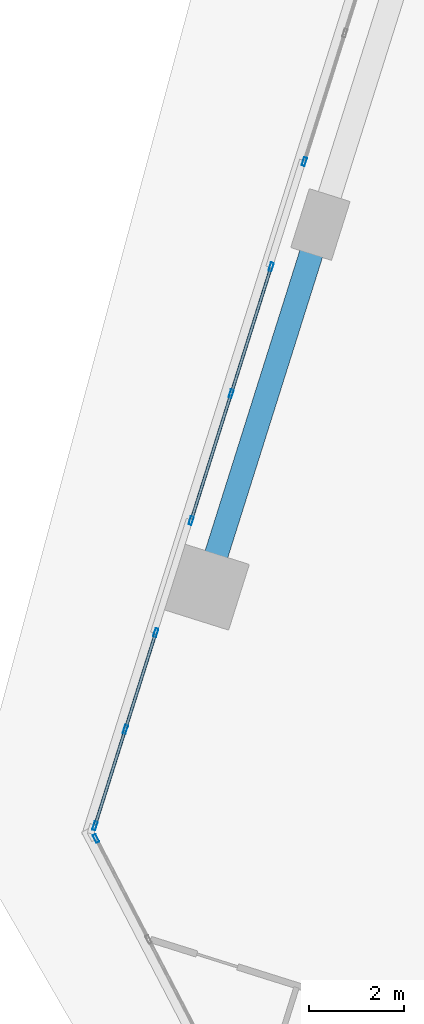
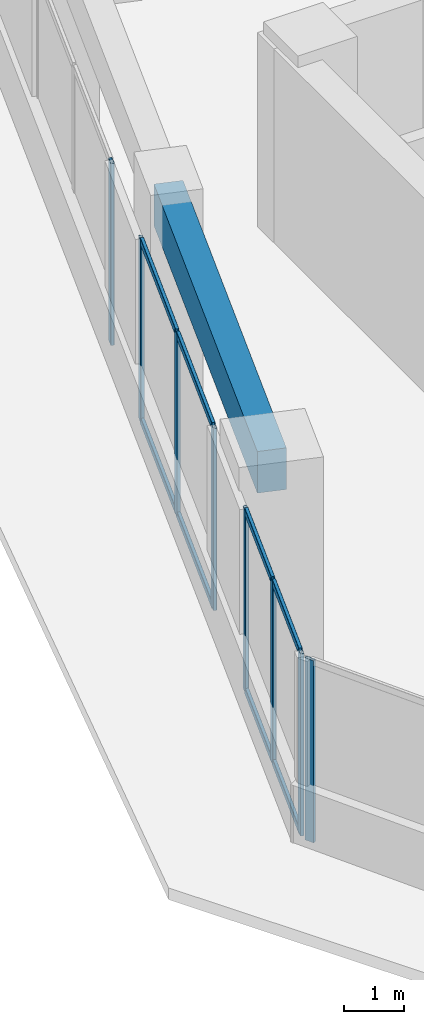
# One storey, part 6 of 28: 16 members, 1 beam, 4 elements without a shape of their own.
"""IFC4 building model written with IfcOpenShell, lengths in metres."""

from ifc_helpers import new_model, si_unit, direction, frame, origin, origin_2d, place, context, subcontext, project, spatial, rectangle, hollow_rectangle, extrude, source, transform, mapped, material, material_profile, profile_set, type_object, element, aggregate, save


model = new_model("IFC4")

# Units and contexts
model_context = context("Model", 3, precision=1e-05, world=origin(), true_north=direction((0.0, 1.0)))
body_context = subcontext(model_context, "Body", "Model", "MODEL_VIEW")
ifc_project = project(units=[si_unit("LENGTHUNIT", "METRE"), si_unit("AREAUNIT", "SQUARE_METRE"), si_unit("VOLUMEUNIT", "CUBIC_METRE"), si_unit("PLANEANGLEUNIT", "RADIAN"), si_unit("MASSUNIT", "GRAM", prefix="KILO")], contexts=[model_context])

# Site, building, storey
site_placement = place(None, origin())
site = spatial("IfcSite", under=ifc_project, at=site_placement, CompositionType="ELEMENT")
building_placement = place(site_placement, origin())
building = spatial("IfcBuilding", under=site, at=building_placement, Name="Torre Montelarca", CompositionType="ELEMENT")
storey_placement = place(building_placement, frame((0.0, 0.0, 112.60009765625)))
storey = spatial("IfcBuildingStorey", under=building, at=storey_placement, Name="L25", CompositionType="ELEMENT", Elevation=112.60009765625)

# Beam
ifc_material_1 = material(Name="Concrete C55/67", Category="concrete")
ifc_material_profile_1 = material_profile(ifc_material_1, rectangle(XDim=0.5, YDim=0.85009765625, at=origin_2d()), Name="RCB500X850", Category="concrete")
ifc_profile_set_1 = profile_set([ifc_material_profile_1], Name="Concrete C55/67")
beam_type = type_object("IfcBeamType", Name="BM-SP-RC850-EXT", PredefinedType="SPANDREL", material=ifc_profile_set_1)
shared_shape_1 = source(origin(), body_context, "Body", "SweptSolid", [
    extrude(rectangle(XDim=0.5, YDim=0.85009765625, at=origin_2d()), origin(), (0.0, 0.0, 1.0), 8.0),
])
beam_placement = place(storey_placement, frame((3.024169921875, 29.437255859375, 3.534912109375), z_axis=(0.300722386371, 0.953711720771, 0.0), x_axis=(-0.953711720771, 0.300722386371, 0.0)))
element("IfcBeam", 1, at=beam_placement, inside=storey, type_object=beam_type, Name="L25 Grid Girder Y 24.0-32.0 at X=4.7", PredefinedType="SPANDREL", context=body_context, shape_type="MappedRepresentation", body=[
    mapped(shared_shape_1, transform((0.0, 0.0, 0.0), scale=1.0)),
])

# Curtain wall, members
ifc_material_2 = material(Name="Insulated low-E laminated glass", Category="glass")
curtain_wall_type = type_object("IfcCurtainWallType", Name="CW-SYS-Z1", PredefinedType="USERDEFINED", material=ifc_material_2)
curtain_wall_1_placement = place(storey_placement, origin())
curtain_wall_1 = element("IfcCurtainWall", 2, at=curtain_wall_1_placement, inside=storey, type_object=curtain_wall_type, Name="L25 Curtain Wall Run CW-T3-L25-E10-B2", ObjectType="UNITISED GLAZING", PredefinedType="USERDEFINED")
ifc_material_3 = material(Name="Anodised aluminium AA 6063-T6", Category="aluminium")
ifc_material_profile_2 = material_profile(ifc_material_3, hollow_rectangle(XDim=0.06494140625, YDim=0.139892578125, WallThickness=0.00390625, InnerFilletRadius=0.00390625, OuterFilletRadius=0.008056640625, at=origin_2d()), Name="ALU65X140X4", Category="aluminium")
ifc_profile_set_2 = profile_set([ifc_material_profile_2], Name="Anodised aluminium AA 6063-T6")
member_type_1 = type_object("IfcMemberType", Name="CWT-ALU140", PredefinedType="USERDEFINED", material=ifc_profile_set_2)
shared_shape_2 = source(origin(), body_context, "Body", "SweptSolid", [
    extrude(hollow_rectangle(XDim=0.06494140625, YDim=0.139892578125, WallThickness=0.00390625, InnerFilletRadius=0.00390625, OuterFilletRadius=0.008056640625, at=origin_2d()), origin(), (0.0, 0.0, 1.0), 2.735107421875),
])
member_1_placement = place(storey_placement, frame((3.5419921875, 33.473388671875, 0.032470703125), z_axis=(-0.300734033524, -0.953708048136, 0.0), x_axis=(0.953708048136, -0.300734033524, 0.0)))
member_1 = element("IfcMember", 3, at=member_1_placement, type_object=member_type_1, Name="CW transom 2.1", ObjectType="TRANSOM", PredefinedType="USERDEFINED", context=body_context, shape_type="MappedRepresentation", body=[
    mapped(shared_shape_2, transform((0.0, 0.0, 0.0), scale=1.0)),
])
member_2_placement = place(storey_placement, frame((3.5419921875, 33.473388671875, 3.6875), z_axis=(-0.300734033524, -0.953708048136, 0.0), x_axis=(0.953708048136, -0.300734033524, 0.0)))
member_2 = element("IfcMember", 4, at=member_2_placement, type_object=member_type_1, Name="CW transom 2.2", ObjectType="TRANSOM", PredefinedType="USERDEFINED", context=body_context, shape_type="MappedRepresentation", body=[
    mapped(shared_shape_2, transform((0.0, 0.0, 0.0), scale=1.0)),
])

curtain_wall_2_placement = place(storey_placement, origin())
curtain_wall_2 = element("IfcCurtainWall", 5, at=curtain_wall_2_placement, inside=storey, type_object=curtain_wall_type, Name="L25 Curtain Wall Run CW-T3-L25-E10-B3", ObjectType="UNITISED GLAZING", PredefinedType="USERDEFINED")
shared_shape_3 = source(origin(), body_context, "Body", "SweptSolid", [
    extrude(hollow_rectangle(XDim=0.06494140625, YDim=0.139892578125, WallThickness=0.00390625, InnerFilletRadius=0.00390625, OuterFilletRadius=0.008056640625, at=origin_2d()), origin(), (0.0, 0.0, 1.0), 2.067138671875),
])
member_3_placement = place(storey_placement, frame((1.95556640625, 28.442626953125, 0.032470703125), z_axis=(-0.300701747305, -0.953718228392, 0.0), x_axis=(0.953718228392, -0.300701747305, 0.0)))
member_3 = element("IfcMember", 6, at=member_3_placement, type_object=member_type_1, Name="CW transom 1.1", ObjectType="TRANSOM", PredefinedType="USERDEFINED", context=body_context, shape_type="MappedRepresentation", body=[
    mapped(shared_shape_3, transform((0.0, 0.0, 0.0), scale=1.0)),
])
member_4_placement = place(storey_placement, frame((1.95556640625, 28.442626953125, 3.6875), z_axis=(-0.300701747305, -0.953718228392, 0.0), x_axis=(0.953718228392, -0.300701747305, 0.0)))
member_4 = element("IfcMember", 7, at=member_4_placement, type_object=member_type_1, Name="CW transom 1.2", ObjectType="TRANSOM", PredefinedType="USERDEFINED", context=body_context, shape_type="MappedRepresentation", body=[
    mapped(shared_shape_3, transform((0.0, 0.0, 0.0), scale=1.0)),
])
member_5_placement = place(storey_placement, frame((1.314453125, 26.4091796875, 0.032470703125), z_axis=(-0.300701747305, -0.953718228392, 0.0), x_axis=(0.953718228392, -0.300701747305, 0.0)))
member_5 = element("IfcMember", 8, at=member_5_placement, type_object=member_type_1, Name="CW transom 2.1", ObjectType="TRANSOM", PredefinedType="USERDEFINED", context=body_context, shape_type="MappedRepresentation", body=[
    mapped(shared_shape_3, transform((0.0, 0.0, 0.0), scale=1.0)),
])
member_6_placement = place(storey_placement, frame((1.314453125, 26.4091796875, 3.6875), z_axis=(-0.300701747305, -0.953718228392, 0.0), x_axis=(0.953718228392, -0.300701747305, 0.0)))
member_6 = element("IfcMember", 9, at=member_6_placement, type_object=member_type_1, Name="CW transom 2.2", ObjectType="TRANSOM", PredefinedType="USERDEFINED", context=body_context, shape_type="MappedRepresentation", body=[
    mapped(shared_shape_3, transform((0.0, 0.0, 0.0), scale=1.0)),
])

# Curtain wall, member
curtain_wall_3_placement = place(storey_placement, origin())
curtain_wall_3 = element("IfcCurtainWall", 10, at=curtain_wall_3_placement, inside=storey, type_object=curtain_wall_type, Name="L25 Curtain Wall Run CW-T3-L25-E10-B1", ObjectType="UNITISED GLAZING", PredefinedType="USERDEFINED")
ifc_material_profile_3 = material_profile(ifc_material_3, hollow_rectangle(XDim=0.06494140625, YDim=0.179931640625, WallThickness=0.00390625, InnerFilletRadius=0.00390625, OuterFilletRadius=0.008056640625, at=origin_2d()), Name="ALU65X180X4", Category="aluminium")
ifc_profile_set_3 = profile_set([ifc_material_profile_3], Name="Anodised aluminium AA 6063-T6")
member_type_2 = type_object("IfcMemberType", Name="CWM-ALU180", PredefinedType="MULLION", material=ifc_profile_set_3)
shared_shape_4 = source(origin(), body_context, "Body", "SweptSolid", [
    extrude(hollow_rectangle(XDim=0.06494140625, YDim=0.179931640625, WallThickness=0.00390625, InnerFilletRadius=0.00390625, OuterFilletRadius=0.008056640625, at=origin_2d()), origin(), (0.0, 0.0, 1.0), 3.719970703125),
])
member_7_placement = place(storey_placement, frame((5.0927734375, 38.39208984375, 0.0), z_axis=(0.0, 0.0, 1.0), x_axis=(0.953718957259, -0.30069943559, 0.0)))
member_7 = element("IfcMember", 11, at=member_7_placement, type_object=member_type_2, Name="CW mullion 3", PredefinedType="MULLION", context=body_context, shape_type="MappedRepresentation", body=[
    mapped(shared_shape_4, transform((0.0, 0.0, 0.0), scale=1.0)),
])
aggregate(curtain_wall_3, [member_7])

# Member
member_8_placement = place(storey_placement, frame((4.3935546875, 36.1748046875, 0.0), z_axis=(0.0, 0.0, 1.0), x_axis=(0.953716763263, -0.300706394131, 0.0)))
member_8 = element("IfcMember", 12, at=member_8_placement, type_object=member_type_2, Name="CW mullion 1", PredefinedType="MULLION", context=body_context, shape_type="MappedRepresentation", body=[
    mapped(shared_shape_4, transform((0.0, 0.0, 0.0), scale=1.0)),
])

member_9_placement = place(storey_placement, frame((3.5517578125, 33.50439453125, 0.0), z_axis=(0.0, 0.0, 1.0), x_axis=(0.953716763263, -0.300706394131, 0.0)))
member_9 = element("IfcMember", 13, at=member_9_placement, type_object=member_type_2, Name="CW mullion 2", PredefinedType="MULLION", context=body_context, shape_type="MappedRepresentation", body=[
    mapped(shared_shape_4, transform((0.0, 0.0, 0.0), scale=1.0)),
])

member_10_placement = place(storey_placement, frame((2.709716796875, 30.833984375, 0.0), z_axis=(0.0, 0.0, 1.0), x_axis=(0.953716763263, -0.300706394131, 0.0)))
member_10 = element("IfcMember", 14, at=member_10_placement, type_object=member_type_2, Name="CW mullion 3", PredefinedType="MULLION", context=body_context, shape_type="MappedRepresentation", body=[
    mapped(shared_shape_4, transform((0.0, 0.0, 0.0), scale=1.0)),
])

member_11_placement = place(storey_placement, frame((1.96533203125, 28.473388671875, 0.0), z_axis=(0.0, 0.0, 1.0), x_axis=(0.953717324343, -0.300704614611, 0.0)))
member_11 = element("IfcMember", 15, at=member_11_placement, type_object=member_type_2, Name="CW mullion 1", PredefinedType="MULLION", context=body_context, shape_type="MappedRepresentation", body=[
    mapped(shared_shape_4, transform((0.0, 0.0, 0.0), scale=1.0)),
])

member_12_placement = place(storey_placement, frame((1.32421875, 26.440185546875, 0.0), z_axis=(0.0, 0.0, 1.0), x_axis=(0.953717324343, -0.300704614611, 0.0)))
member_12 = element("IfcMember", 16, at=member_12_placement, type_object=member_type_2, Name="CW mullion 2", PredefinedType="MULLION", context=body_context, shape_type="MappedRepresentation", body=[
    mapped(shared_shape_4, transform((0.0, 0.0, 0.0), scale=1.0)),
])

member_13_placement = place(storey_placement, frame((0.68310546875, 24.40673828125, 0.0), z_axis=(0.0, 0.0, 1.0), x_axis=(0.953717324343, -0.300704614611, 0.0)))
member_13 = element("IfcMember", 17, at=member_13_placement, type_object=member_type_2, Name="CW mullion 3", PredefinedType="MULLION", context=body_context, shape_type="MappedRepresentation", body=[
    mapped(shared_shape_4, transform((0.0, 0.0, 0.0), scale=1.0)),
])

aggregate(curtain_wall_2, [member_11, member_12, member_13, member_3, member_4, member_5, member_6])

# Curtain wall, member
curtain_wall_4_placement = place(storey_placement, origin())
curtain_wall_4 = element("IfcCurtainWall", 18, at=curtain_wall_4_placement, inside=storey, type_object=curtain_wall_type, Name="L25 Curtain Wall Run CW-T3-L25-E11-B1", ObjectType="UNITISED GLAZING", PredefinedType="USERDEFINED")
member_14_placement = place(storey_placement, frame((0.706298828125, 24.140869140625, 0.0), z_axis=(0.0, 0.0, 1.0), x_axis=(0.88701003306, 0.461750150245, 0.0)))
member_14 = element("IfcMember", 19, at=member_14_placement, type_object=member_type_2, Name="CW mullion 1", PredefinedType="MULLION", context=body_context, shape_type="MappedRepresentation", body=[
    mapped(shared_shape_4, transform((0.0, 0.0, 0.0), scale=1.0)),
])
aggregate(curtain_wall_4, [member_14])

# Member
shared_shape_5 = source(origin(), body_context, "Body", "SweptSolid", [
    extrude(hollow_rectangle(XDim=0.06494140625, YDim=0.139892578125, WallThickness=0.00390625, InnerFilletRadius=0.00390625, OuterFilletRadius=0.008056640625, at=origin_2d()), origin(), (0.0, 0.0, 1.0), 2.73486328125),
])
member_15_placement = place(storey_placement, frame((4.3837890625, 36.143798828125, 0.032470703125), z_axis=(-0.3006528384, -0.953733647704, 0.0), x_axis=(0.953733647704, -0.3006528384, 0.0)))
member_15 = element("IfcMember", 20, at=member_15_placement, type_object=member_type_1, Name="CW transom 1.1", ObjectType="TRANSOM", PredefinedType="USERDEFINED", context=body_context, shape_type="MappedRepresentation", body=[
    mapped(shared_shape_5, transform((0.0, 0.0, 0.0), scale=1.0)),
])

member_16_placement = place(storey_placement, frame((4.3837890625, 36.143798828125, 3.6875), z_axis=(-0.3006528384, -0.953733647704, 0.0), x_axis=(0.953733647704, -0.3006528384, 0.0)))
member_16 = element("IfcMember", 21, at=member_16_placement, type_object=member_type_1, Name="CW transom 1.2", ObjectType="TRANSOM", PredefinedType="USERDEFINED", context=body_context, shape_type="MappedRepresentation", body=[
    mapped(shared_shape_5, transform((0.0, 0.0, 0.0), scale=1.0)),
])

aggregate(curtain_wall_1, [member_8, member_9, member_10, member_15, member_16, member_1, member_2])

save(model, "model.ifc")
